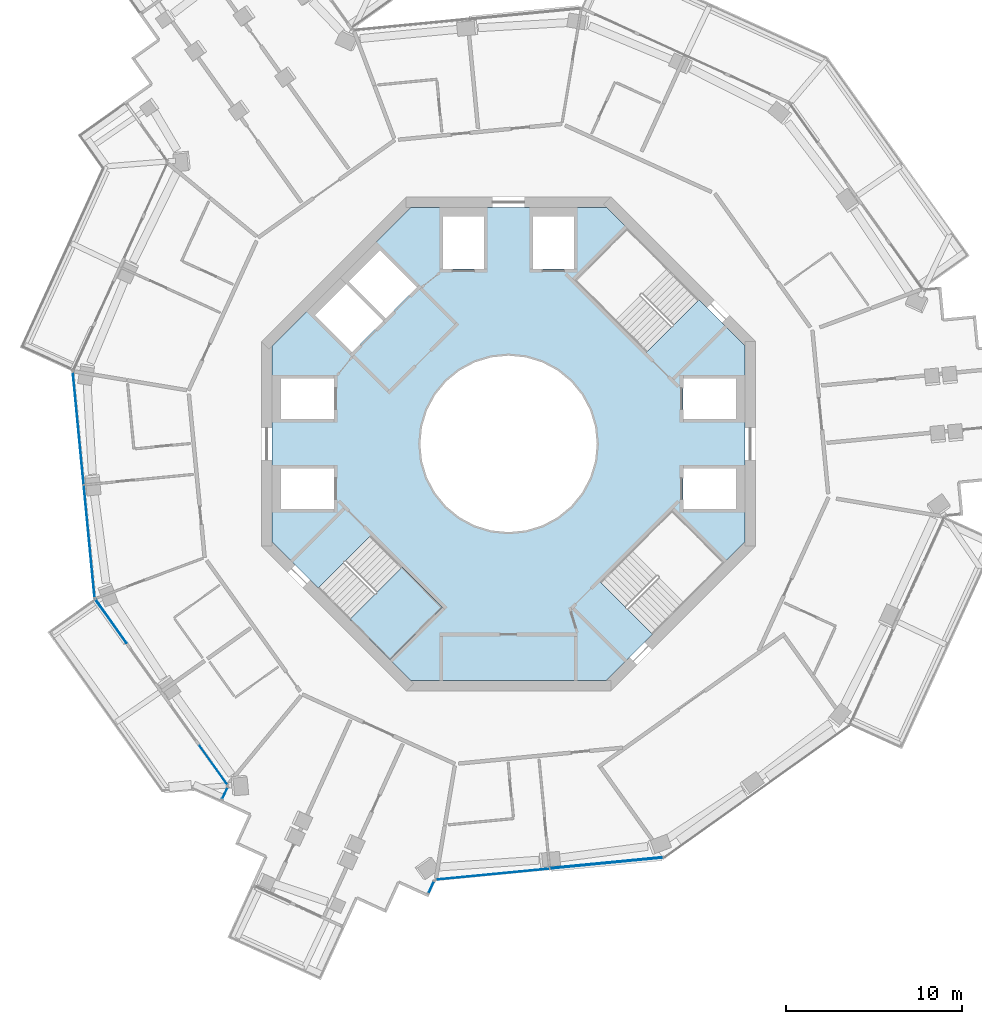
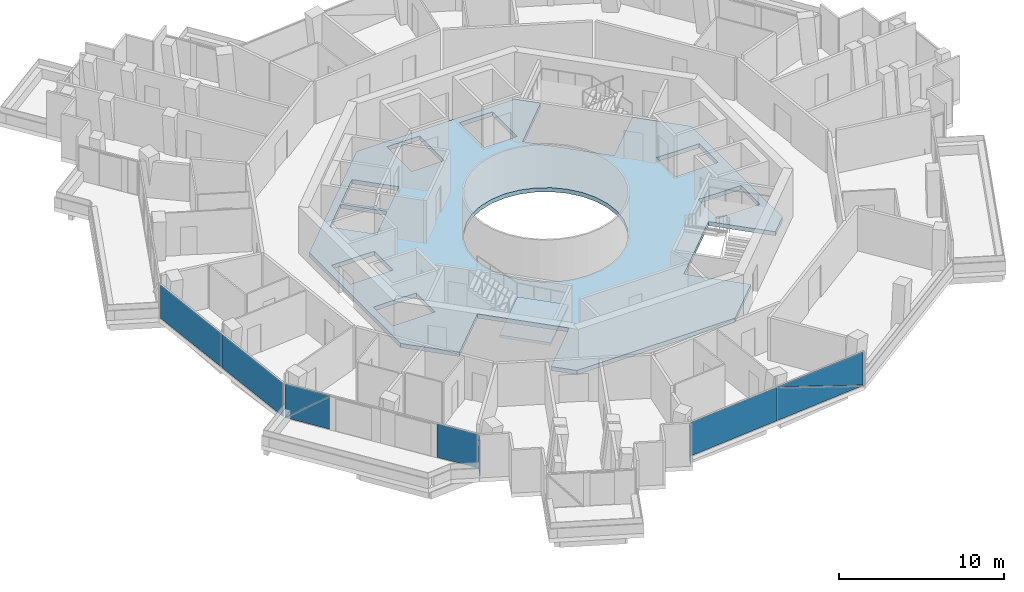
# One storey, part 10 of 22: 10 plates, 2 slabs, 6 elements without a shape of their own.
"""IFC4 building model written with IfcOpenShell, lengths in metres."""

import ifcopenshell
import ifcopenshell.guid

model = None  # the IFC model being written
_history = None  # IfcOwnerHistory: only IFC2X3 demands one
_inside = {}  # id of a spatial element -> (the spatial element, [elements in it])
_under = {}  # id of a project, library or spatial element -> (it, [spatial elements below it])
_declared = {}  # id of a project -> (the project, [libraries it declares])
_typed = {}  # id of a type object -> (the type object, [elements of that type])
_made_of = {}  # id of a material, layer set ... -> (it, [elements and type objects made of it])


def new_model(schema):
    """Start an empty IFC model of exactly this schema.

    Asked for "IFC4X3", IfcOpenShell would pick the latest addendum, in which some entities
    have other attributes; the version numbers below select the first issue.
    IFC2X3 requires an IfcOwnerHistory on every rooted entity: one is made here for all.
    """
    global model, _history
    if schema == "IFC4X3":
        model = ifcopenshell.file(schema_version=(4, 3, 0, 0))
    else:
        model = ifcopenshell.file(schema=schema)
    _inside.clear()
    _under.clear()
    _declared.clear()
    _typed.clear()
    _made_of.clear()
    _history = None
    if model.schema == "IFC2X3":
        org = make("IfcOrganization", Name="unknown")
        user = make(
            "IfcPersonAndOrganization",
            ThePerson=make("IfcPerson", FamilyName="unknown"),
            TheOrganization=org,
        )
        app = make(
            "IfcApplication",
            ApplicationDeveloper=org,
            Version="unknown",
            ApplicationFullName="unknown",
            ApplicationIdentifier="unknown",
        )
        _history = make(
            "IfcOwnerHistory",
            OwningUser=user,
            OwningApplication=app,
            ChangeAction="ADDED",
            CreationDate=0,
        )
    return model


def make(cls, **values):
    """One entity of the class cls with the attributes given. An attribute that is None is left unset."""
    return model.create_entity(
        cls, **{name: value for name, value in values.items() if value is not None}
    )


def rooted(cls, **values):
    """An entity with a GlobalId (a new one), such as an element, a storey or a relation."""
    return make(cls, GlobalId=ifcopenshell.guid.new(), OwnerHistory=_history, **values)


def si_unit(unit_type, name, prefix=None):
    """IfcSIUnit, for example si_unit("LENGTHUNIT", "METRE", prefix="MILLI")."""
    return make("IfcSIUnit", UnitType=unit_type, Prefix=prefix, Name=name)


def assignment(units):
    """IfcUnitAssignment: the units of a project."""
    return None if units is None else make("IfcUnitAssignment", Units=units)


def point(xyz):
    """IfcCartesianPoint."""
    return None if xyz is None else make("IfcCartesianPoint", Coordinates=xyz)


def direction(xyz):
    """IfcDirection."""
    return None if xyz is None else make("IfcDirection", DirectionRatios=xyz)


def frame(location, z_axis=None, x_axis=None):
    """IfcAxis2Placement3D, a coordinate frame: its origin and axes. An axis left out is left unset."""
    return make(
        "IfcAxis2Placement3D",
        Location=point(location),
        Axis=direction(z_axis),
        RefDirection=direction(x_axis),
    )


def frame_2d(location, x_axis=None):
    """IfcAxis2Placement2D, a coordinate frame in the plane: its origin and x axis."""
    return make(
        "IfcAxis2Placement2D", Location=point(location), RefDirection=direction(x_axis)
    )


def origin():
    """The frame at (0, 0, 0) with its axes left unset."""
    return frame((0.0, 0.0, 0.0))


def origin_2d():
    """The frame at (0, 0) in the plane with its x axis left unset."""
    return frame_2d((0.0, 0.0))


def place(relative_to, where):
    """IfcLocalPlacement: puts the frame where relative to a parent placement (None: the world)."""
    return make(
        "IfcLocalPlacement", PlacementRelTo=relative_to, RelativePlacement=where
    )


def context(
    kind, dimensions, precision=None, world=None, true_north=None, identifier=None
):
    """IfcGeometricRepresentationContext, for example the 3D "Model" context."""
    return make(
        "IfcGeometricRepresentationContext",
        ContextIdentifier=identifier,
        ContextType=kind,
        CoordinateSpaceDimension=dimensions,
        Precision=precision,
        WorldCoordinateSystem=world,
        TrueNorth=true_north,
    )


def subcontext(parent, identifier, kind, view, scale=None):
    """IfcGeometricRepresentationSubContext, for example "Body" below "Model"."""
    return make(
        "IfcGeometricRepresentationSubContext",
        ContextIdentifier=identifier,
        ContextType=kind,
        ParentContext=parent,
        TargetScale=scale,
        TargetView=view,
    )


def project(units=None, contexts=None):
    """IfcProject with its units and contexts."""
    return rooted(
        "IfcProject",
        Name="project",
        RepresentationContexts=contexts,
        UnitsInContext=assignment(units),
    )


def spatial(cls, under=None, at=None, **own):
    """A site, building, storey or space (cls), placed at a placement, below another one or the project."""
    s = rooted(cls, ObjectPlacement=at, **own)
    if under is not None:
        _under.setdefault(under.id(), (under, []))[1].append(s)
    return s


def polyline(points):
    """IfcPolyline through the points."""
    return make("IfcPolyline", Points=[point(p) for p in points])


def profile(cls, at=None, kind="AREA", **sizes):
    """A parametric profile (cls). Its sizes go by their IFC names, for example OverallWidth=200.0."""
    return make(cls, ProfileType=kind, Position=at, **sizes)


def rectangle(**sizes):
    """IfcRectangleProfileDef."""
    return profile("IfcRectangleProfileDef", **sizes)


def outline(outer, holes=None, kind="AREA"):
    """IfcArbitraryClosedProfileDef: a profile drawn as a closed curve; with holes, ...WithVoids."""
    if holes is None:
        return make("IfcArbitraryClosedProfileDef", ProfileType=kind, OuterCurve=outer)
    return make(
        "IfcArbitraryProfileDefWithVoids",
        ProfileType=kind,
        OuterCurve=outer,
        InnerCurves=holes,
    )


def extrude(swept, where, along, depth):
    """IfcExtrudedAreaSolid: the profile swept, set in the frame where, extruded along a direction by depth."""
    return make(
        "IfcExtrudedAreaSolid",
        SweptArea=swept,
        Position=where,
        ExtrudedDirection=direction(along),
        Depth=depth,
    )


def shape(context_of_items, identifier, shape_type, items):
    """IfcShapeRepresentation: the items that make up one representation, for example the "Body"."""
    return make(
        "IfcShapeRepresentation",
        ContextOfItems=context_of_items,
        RepresentationIdentifier=identifier,
        RepresentationType=shape_type,
        Items=items,
    )


def material(Name=None, Category=None):
    """IfcMaterial."""
    return make("IfcMaterial", Name=Name, Category=Category)


def layer(
    of_material, thickness, ventilated=None, Name=None, Category=None, Priority=None
):
    """IfcMaterialLayer: one layer of a wall or slab, of a material (None: an air gap)."""
    return make(
        "IfcMaterialLayer",
        Material=of_material,
        LayerThickness=thickness,
        IsVentilated=ventilated,
        Name=Name,
        Category=Category,
        Priority=Priority,
    )


def layer_set(layers, Name=None):
    """IfcMaterialLayerSet."""
    return make("IfcMaterialLayerSet", MaterialLayers=layers, LayerSetName=Name)


def made_of(thing, what):
    """Note that an element or type object is made of a material, layer set ...; save() writes the relation."""
    if what is not None:
        _made_of.setdefault(what.id(), (what, []))[1].append(thing)
    return thing


def type_object(cls, material=None, **own):
    """A type object (cls), such as IfcWallType, which elements share."""
    return made_of(rooted(cls, **own), material)


def element(
    cls,
    number,
    at=None,
    inside=None,
    cuts=None,
    type_object=None,
    material=None,
    context=None,
    identifier="Body",
    shape_type=None,
    held_by="IfcProductDefinitionShape",
    body=None,
    shapes=None,
    **own,
):
    """One element of the class cls, such as IfcWall. Its Tag is "e" and its number.

    at: its placement. inside: the storey or other place that contains it. cuts: it is an
    opening in that element (IfcRelVoidsElement). A single representation is given by context,
    identifier, shape_type and body (its items); several are given by shapes. held_by: the class
    of the entity that holds the representations. save() writes the other relations.
    """
    e = rooted(cls, Tag="e%d" % number, ObjectPlacement=at, **own)
    if body is not None:
        shapes = [shape(context, identifier, shape_type, body)]
    if shapes is not None:
        e.Representation = make(held_by, Representations=shapes)
    if inside is not None:
        _inside.setdefault(inside.id(), (inside, []))[1].append(e)
    if cuts is not None:
        rooted(
            "IfcRelVoidsElement", RelatingBuildingElement=cuts, RelatedOpeningElement=e
        )
    if type_object is not None:
        _typed.setdefault(type_object.id(), (type_object, []))[1].append(e)
    return made_of(e, material)


def aggregate(whole, parts):
    """IfcRelAggregates: a whole, such as a stair, and the parts it consists of."""
    return rooted("IfcRelAggregates", RelatingObject=whole, RelatedObjects=parts)


def save(model, path):
    """Write the relations noted so far, then the file.

    IfcRelAggregates (storeys below a building ...), IfcRelContainedInSpatialStructure (elements
    in a storey), IfcRelDefinesByType, IfcRelAssociatesMaterial and IfcRelDeclares: one each for
    every whole, place, type object, material and project.
    """
    for whole, parts in _under.values():
        aggregate(whole, parts)
    for where, things in _inside.values():
        rooted(
            "IfcRelContainedInSpatialStructure",
            RelatedElements=things,
            RelatingStructure=where,
        )
    for kind, things in _typed.values():
        rooted("IfcRelDefinesByType", RelatedObjects=things, RelatingType=kind)
    for what, things in _made_of.values():
        rooted("IfcRelAssociatesMaterial", RelatedObjects=things, RelatingMaterial=what)
    for by, libraries in _declared.values():
        rooted("IfcRelDeclares", RelatingContext=by, RelatedDefinitions=libraries)
    model.write(path)


model = new_model("IFC4")

# Units and contexts
model_context = context("Model", 3, precision=1e-05, world=origin(), true_north=direction((0.0, 1.0)))
body_context = subcontext(model_context, "Body", "Model", "MODEL_VIEW")
ifc_project = project(units=[si_unit("LENGTHUNIT", "METRE"), si_unit("AREAUNIT", "SQUARE_METRE"), si_unit("VOLUMEUNIT", "CUBIC_METRE"), si_unit("PLANEANGLEUNIT", "RADIAN"), si_unit("MASSUNIT", "GRAM", prefix="KILO")], contexts=[model_context])

# Site, building, storey
site_placement = place(None, origin())
site = spatial("IfcSite", under=ifc_project, at=site_placement, CompositionType="ELEMENT")
building_placement = place(site_placement, origin())
building = spatial("IfcBuilding", under=site, at=building_placement, Name="Verdalira Terraces Hotel", CompositionType="ELEMENT")
storey_placement = place(building_placement, frame((0.0, 0.0, 180.0)))
storey = spatial("IfcBuildingStorey", under=building, at=storey_placement, Name="L43", CompositionType="ELEMENT", Elevation=180.0)

# Curtain wall, plates
ifc_material_1 = material(Name="Clear glass", Category="glass")
ifc_layer_1 = layer(ifc_material_1, 0.14990234375)
ifc_layer_set_1 = layer_set([ifc_layer_1], Name="CW1 curtain wall")
curtain_wall_type_1 = type_object("IfcCurtainWallType", Name="CW1 curtain wall", PredefinedType="NOTDEFINED", material=ifc_layer_set_1)
curtain_wall_1_placement = place(storey_placement, origin())
curtain_wall_1 = element("IfcCurtainWall", 1, at=curtain_wall_1_placement, inside=storey, type_object=curtain_wall_type_1, Name="CW1 curtain wall L43 edge 12", PredefinedType="NOTDEFINED")
ifc_material_2 = material(Name="Clear glass", Category="glass")
ifc_layer_2 = layer(ifc_material_2, 0.028076171875)
ifc_layer_set_2 = layer_set([ifc_layer_2], Name="CW1 glass unit 28")
plate_type_1 = type_object("IfcPlateType", Name="CW1 glass unit 28", PredefinedType="CURTAIN_PANEL", material=ifc_layer_set_2)
plate_1_placement = place(storey_placement, frame((-24.380371, 0.873779, 0.0), z_axis=(0.0, 0.0, 1.0), x_axis=(0.096193205, -0.995362681, 0.0)))
plate_1 = element("IfcPlate", 2, at=plate_1_placement, type_object=plate_type_1, Name="CW1 glass unit", PredefinedType="CURTAIN_PANEL", context=body_context, shape_type="SweptSolid", body=[
    extrude(rectangle(XDim=6.369873, YDim=0.028076, at=origin_2d()), origin(), (0.0, 0.0, 1.0), 2.475098),
])
plate_2_placement = place(storey_placement, frame((-23.761963, -5.526367, 0.0), z_axis=(0.0, 0.0, 1.0), x_axis=(0.096193205, -0.995362681, 0.0)))
plate_2 = element("IfcPlate", 3, at=plate_2_placement, type_object=plate_type_1, Name="CW1 glass unit", PredefinedType="CURTAIN_PANEL", context=body_context, shape_type="SweptSolid", body=[
    extrude(rectangle(XDim=6.369873, YDim=0.028076, at=origin_2d()), origin(), (0.0, 0.0, 1.0), 2.475098),
])
aggregate(curtain_wall_1, [plate_1, plate_2])

curtain_wall_2_placement = place(storey_placement, origin())
curtain_wall_2 = element("IfcCurtainWall", 4, at=curtain_wall_2_placement, inside=storey, type_object=curtain_wall_type_1, Name="CW1 curtain wall L43 edge 13", PredefinedType="NOTDEFINED")
plate_3_placement = place(storey_placement, frame((-22.518311, -10.053955, 1.237549), z_axis=(-0.813912765, -0.5809871, 0.0), x_axis=(0.5809871, -0.813912765, 0.0)))
plate_3 = element("IfcPlate", 5, at=plate_3_placement, type_object=plate_type_1, Name="CW1 glass unit", PredefinedType="CURTAIN_PANEL", context=body_context, shape_type="SweptSolid", body=[
    extrude(outline(polyline([(-1.5, -1.237549), (1.5, -1.237549), (1.5, 1.237549), (-1.5, -1.237549)])), origin(), (0.0, 0.0, 1.0), 0.028076),
])
plate_4_placement = place(storey_placement, frame((-22.494629, -10.036865, 1.237549), z_axis=(-0.813912765, -0.5809871, 0.0), x_axis=(0.5809871, -0.813912765, 0.0)))
plate_4 = element("IfcPlate", 6, at=plate_4_placement, type_object=plate_type_1, Name="CW1 glass unit", PredefinedType="CURTAIN_PANEL", context=body_context, shape_type="SweptSolid", body=[
    extrude(outline(polyline([(-1.5, -1.237549), (1.5, 1.237549), (-1.5, 1.237549), (-1.5, -1.237549)])), origin(), (0.0, 0.0, 1.0), 0.028076),
])
plate_5_placement = place(storey_placement, frame((-16.719727, -18.20166, 0.0), z_axis=(0.0, 0.0, 1.0), x_axis=(0.5809871, -0.813912765, 0.0)))
plate_5 = element("IfcPlate", 7, at=plate_5_placement, type_object=plate_type_1, Name="CW1 glass unit", PredefinedType="CURTAIN_PANEL", context=body_context, shape_type="SweptSolid", body=[
    extrude(rectangle(XDim=2.678711, YDim=0.028076, at=origin_2d()), origin(), (0.0, 0.0, 1.0), 2.475098),
])
aggregate(curtain_wall_2, [plate_3, plate_4, plate_5])

curtain_wall_3_placement = place(storey_placement, origin())
curtain_wall_3 = element("IfcCurtainWall", 8, at=curtain_wall_3_placement, inside=storey, type_object=curtain_wall_type_1, Name="CW1 curtain wall L43 edge 25", PredefinedType="NOTDEFINED")
plate_6_placement = place(storey_placement, frame((-0.893799, -24.382324, 0.0), z_axis=(0.0, 0.0, 1.0), x_axis=(0.995362681, 0.096193205, 0.0)))
plate_6 = element("IfcPlate", 9, at=plate_6_placement, type_object=plate_type_1, Name="CW1 glass unit", PredefinedType="CURTAIN_PANEL", context=body_context, shape_type="SweptSolid", body=[
    extrude(rectangle(XDim=6.409912, YDim=0.028076, at=origin_2d()), origin(), (0.0, 0.0, 1.0), 2.475098),
])
plate_7_placement = place(storey_placement, frame((5.544922, -23.746094, 1.237549), z_axis=(0.096193205, -0.995362681, 0.0), x_axis=(0.995362681, 0.096193205, 0.0)))
plate_7 = element("IfcPlate", 10, at=plate_7_placement, type_object=plate_type_1, Name="CW1 glass unit", PredefinedType="CURTAIN_PANEL", context=body_context, shape_type="SweptSolid", body=[
    extrude(outline(polyline([(-3.205078, -1.237549), (3.205078, -1.237549), (-3.205078, 1.237549), (-3.205078, -1.237549)])), origin(), (0.0, 0.0, 1.0), 0.028076),
])
plate_8_placement = place(storey_placement, frame((5.542236, -23.717041, 1.237549), z_axis=(0.096193205, -0.995362681, 0.0), x_axis=(0.995362681, 0.096193205, 0.0)))
plate_8 = element("IfcPlate", 11, at=plate_8_placement, type_object=plate_type_1, Name="CW1 glass unit", PredefinedType="CURTAIN_PANEL", context=body_context, shape_type="SweptSolid", body=[
    extrude(outline(polyline([(3.205078, -1.237549), (3.205078, 1.237549), (-3.205078, 1.237549), (3.205078, -1.237549)])), origin(), (0.0, 0.0, 1.0), 0.028076),
])
aggregate(curtain_wall_3, [plate_6, plate_7, plate_8])

# Curtain wall, plate
ifc_material_3 = material(Name="Clear glass", Category="glass")
ifc_layer_3 = layer(ifc_material_3, 0.14990234375)
ifc_layer_set_3 = layer_set([ifc_layer_3], Name="CW2 curtain wall")
curtain_wall_type_2 = type_object("IfcCurtainWallType", Name="CW2 curtain wall", PredefinedType="NOTDEFINED", material=ifc_layer_set_3)
curtain_wall_4_placement = place(storey_placement, origin())
curtain_wall_4 = element("IfcCurtainWall", 12, at=curtain_wall_4_placement, inside=storey, type_object=curtain_wall_type_2, Name="CW2 curtain wall L43 edge 14", PredefinedType="NOTDEFINED")
ifc_material_4 = material(Name="Clear glass", Category="glass")
ifc_layer_4 = layer(ifc_material_4, 0.031982421875)
ifc_layer_set_4 = layer_set([ifc_layer_4], Name="CW2 glass unit 32")
plate_type_2 = type_object("IfcPlateType", Name="CW2 glass unit 32", PredefinedType="CURTAIN_PANEL", material=ifc_layer_set_4)
plate_9_placement = place(storey_placement, frame((-16.075684, -19.802002, 0.0), z_axis=(0.0, 0.0, 1.0), x_axis=(-0.414375581, -0.910105971, 0.0)))
plate_9 = element("IfcPlate", 13, at=plate_9_placement, type_object=plate_type_2, Name="CW2 glass unit", PredefinedType="CURTAIN_PANEL", context=body_context, shape_type="SweptSolid", body=[
    extrude(rectangle(XDim=0.709961, YDim=0.031982, at=origin_2d()), origin(), (0.0, 0.0, 1.0), 2.475098),
])
aggregate(curtain_wall_4, [plate_9])

curtain_wall_5_placement = place(storey_placement, origin())
curtain_wall_5 = element("IfcCurtainWall", 14, at=curtain_wall_5_placement, inside=storey, type_object=curtain_wall_type_2, Name="CW2 curtain wall L43 edge 24", PredefinedType="NOTDEFINED")
plate_10_placement = place(storey_placement, frame((-4.380859, -25.126709, 0.0), z_axis=(0.0, 0.0, 1.0), x_axis=(0.414375581, 0.910105971, 0.0)))
plate_10 = element("IfcPlate", 15, at=plate_10_placement, type_object=plate_type_2, Name="CW2 glass unit", PredefinedType="CURTAIN_PANEL", context=body_context, shape_type="SweptSolid", body=[
    extrude(rectangle(XDim=0.709961, YDim=0.031982, at=origin_2d()), origin(), (0.0, 0.0, 1.0), 2.475098),
])
aggregate(curtain_wall_5, [plate_10])

# Slab
ifc_material_5 = material(Name="Concrete C40", Category="concrete")
ifc_layer_5 = layer(ifc_material_5, 0.31005859375)
ifc_layer_set_5 = layer_set([ifc_layer_5], Name="Core floor slab 310 mm")
slab_type_1 = type_object("IfcSlabType", Name="Core floor slab 310 mm", PredefinedType="FLOOR", material=ifc_layer_set_5)
slab_1_placement = place(storey_placement, frame((0.0, 0.0, -0.310059)))
element("IfcSlab", 16, at=slab_1_placement, inside=storey, type_object=slab_type_1, Name="L43 core floor", PredefinedType="FLOOR", context=body_context, shape_type="SweptSolid", body=[
    extrude(outline(polyline([(-6.703369, -12.24707), (-3.719482, -9.263184), (-7.799072, -5.18335), (-10.782959, -8.16748), (-13.399902, -5.550537), (-13.399902, 5.550537), (-5.550537, 13.399902), (5.550537, 13.399902), (6.703369, 12.24707), (3.719482, 9.263184), (7.799072, 5.18335), (10.782959, 8.16748), (13.399902, 5.550537), (13.399902, -5.550537), (12.24707, -6.703369), (9.263184, -3.719482), (5.18335, -7.799072), (8.16748, -10.782959), (5.550537, -13.399902), (-5.550537, -13.399902), (-6.703369, -12.24707)]), holes=[polyline([(9.899902, -1.399902), (9.899902, -3.699951), (12.899902, -3.699951), (12.899902, -1.399902), (9.899902, -1.399902)]), polyline([(9.899902, 3.699951), (9.899902, 1.399902), (12.899902, 1.399902), (12.899902, 3.699951), (9.899902, 3.699951)]), polyline([(3.699951, 12.899902), (1.399902, 12.899902), (1.399902, 9.899902), (3.699951, 9.899902), (3.699951, 12.899902)]), polyline([(-1.399902, 12.899902), (-3.699951, 12.899902), (-3.699951, 9.899902), (-1.399902, 9.899902), (-1.399902, 12.899902)]), polyline([(-9.899902, 1.399902), (-9.899902, 3.699951), (-12.899902, 3.699951), (-12.899902, 1.399902), (-9.899902, 1.399902)]), polyline([(-9.899902, -3.699951), (-9.899902, -1.399902), (-12.899902, -1.399902), (-12.899902, -3.699951), (-9.899902, -3.699951)]), polyline([(-9.051025, 9.192383), (-6.965088, 7.106445), (-5.197266, 8.874268), (-7.283203, 10.960205), (-9.051025, 9.192383)]), polyline([(-9.192383, 9.051025), (-10.960205, 7.283203), (-8.874268, 5.197266), (-7.106445, 6.965088), (-9.192383, 9.051025)]), polyline([(3.5354, 3.5354), (2.777832, 4.157227), (1.91333, 4.619385), (0.975586, 4.903809), (0.0, 5.0), (-0.975586, 4.903809), (-1.91333, 4.619385), (-2.777832, 4.157227), (-3.5354, 3.5354), (-4.157227, 2.777832), (-4.619385, 1.91333), (-4.903809, 0.975586), (-5.0, 0.0), (-4.903809, -0.975586), (-4.619385, -1.91333), (-4.157227, -2.777832), (-3.5354, -3.5354), (-2.777832, -4.157227), (-1.91333, -4.619385), (-0.975586, -4.903809), (0.0, -5.0), (0.975586, -4.903809), (1.91333, -4.619385), (2.777832, -4.157227), (3.5354, -3.5354), (4.157227, -2.777832), (4.619385, -1.91333), (4.903809, -0.975586), (5.0, 0.0), (4.903809, 0.975586), (4.619385, 1.91333), (4.157227, 2.777832), (3.5354, 3.5354)])]), origin(), (0.0, 0.0, 1.0), 0.310059),
])

# Stair, slab
ifc_material_6 = material(Name="Concrete C40", Category="concrete")
stair_type = type_object("IfcStairType", Name="Core stair 20 risers 2050 mm wide", PredefinedType="HALF_TURN_STAIR", material=ifc_material_6)
stair_placement = place(storey_placement, origin())
stair = element("IfcStair", 17, at=stair_placement, inside=storey, type_object=stair_type, Name="L43 Exit stair ST2", PredefinedType="HALF_TURN_STAIR")
ifc_material_7 = material(Name="Concrete C40", Category="concrete")
ifc_layer_6 = layer(ifc_material_7, 0.199951171875)
ifc_layer_set_6 = layer_set([ifc_layer_6], Name="Core stair landing 200 mm")
slab_type_2 = type_object("IfcSlabType", Name="Core stair landing 200 mm", PredefinedType="LANDING", material=ifc_layer_set_6)
slab_2_placement = place(storey_placement, frame((0.0, 0.0, 1.550049)))
slab_2 = element("IfcSlab", 18, at=slab_2_placement, type_object=slab_type_2, Name="ST2 landing 1", PredefinedType="LANDING", context=body_context, shape_type="SweptSolid", body=[
    extrude(outline(polyline([(-9.001709, -9.94873), (-6.717529, -12.23291), (-3.747559, -9.263184), (-6.031982, -6.97876), (-9.001709, -9.94873)])), origin(), (0.0, 0.0, 1.0), 0.199951),
])
aggregate(stair, [slab_2])

save(model, "model.ifc")
